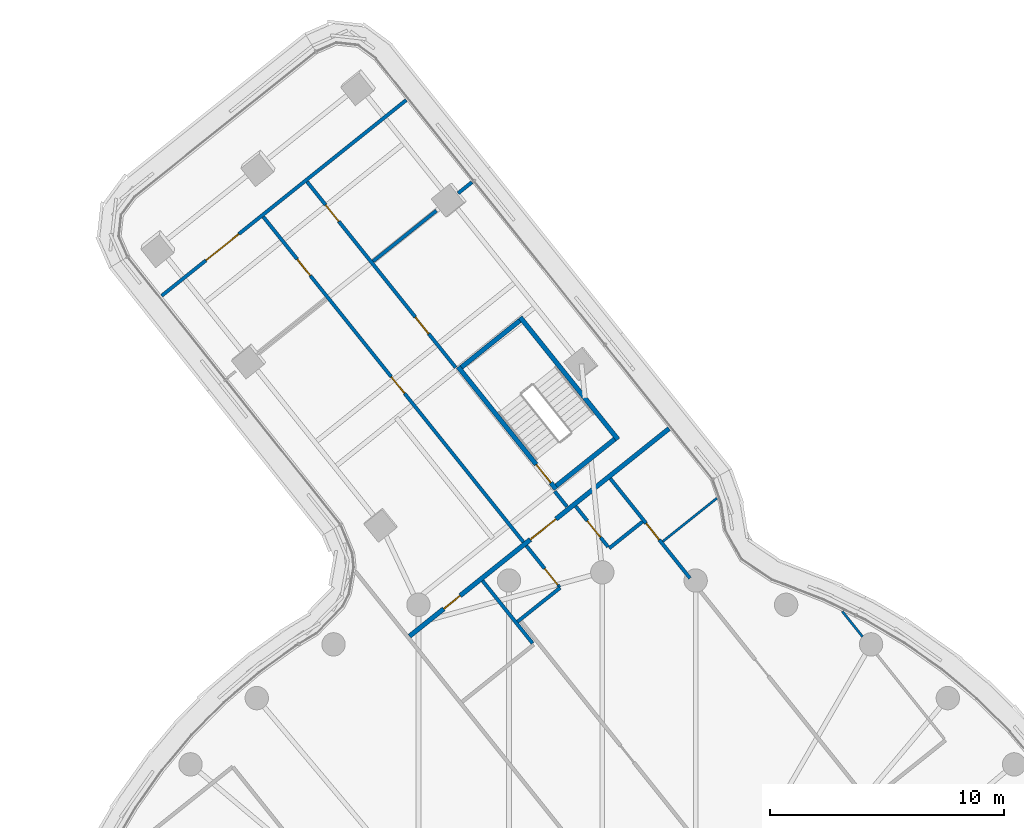
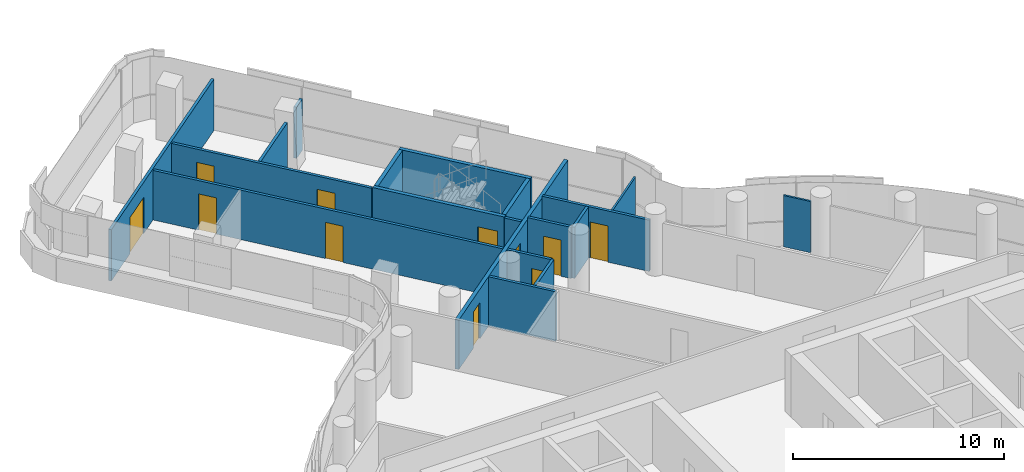
# One storey, part 23 of 31: 18 walls, 11 doors, 11 openings.
"""IFC4 building model written with IfcOpenShell, lengths in metres."""

import ifcopenshell
import ifcopenshell.guid

model = None  # the IFC model being written
_history = None  # IfcOwnerHistory: only IFC2X3 demands one
_inside = {}  # id of a spatial element -> (the spatial element, [elements in it])
_under = {}  # id of a project, library or spatial element -> (it, [spatial elements below it])
_declared = {}  # id of a project -> (the project, [libraries it declares])
_typed = {}  # id of a type object -> (the type object, [elements of that type])
_made_of = {}  # id of a material, layer set ... -> (it, [elements and type objects made of it])


def new_model(schema):
    """Start an empty IFC model of exactly this schema.

    Asked for "IFC4X3", IfcOpenShell would pick the latest addendum, in which some entities
    have other attributes; the version numbers below select the first issue.
    IFC2X3 requires an IfcOwnerHistory on every rooted entity: one is made here for all.
    """
    global model, _history
    if schema == "IFC4X3":
        model = ifcopenshell.file(schema_version=(4, 3, 0, 0))
    else:
        model = ifcopenshell.file(schema=schema)
    _inside.clear()
    _under.clear()
    _declared.clear()
    _typed.clear()
    _made_of.clear()
    _history = None
    if model.schema == "IFC2X3":
        org = make("IfcOrganization", Name="unknown")
        user = make(
            "IfcPersonAndOrganization",
            ThePerson=make("IfcPerson", FamilyName="unknown"),
            TheOrganization=org,
        )
        app = make(
            "IfcApplication",
            ApplicationDeveloper=org,
            Version="unknown",
            ApplicationFullName="unknown",
            ApplicationIdentifier="unknown",
        )
        _history = make(
            "IfcOwnerHistory",
            OwningUser=user,
            OwningApplication=app,
            ChangeAction="ADDED",
            CreationDate=0,
        )
    return model


def make(cls, **values):
    """One entity of the class cls with the attributes given. An attribute that is None is left unset."""
    return model.create_entity(
        cls, **{name: value for name, value in values.items() if value is not None}
    )


def rooted(cls, **values):
    """An entity with a GlobalId (a new one), such as an element, a storey or a relation."""
    return make(cls, GlobalId=ifcopenshell.guid.new(), OwnerHistory=_history, **values)


def si_unit(unit_type, name, prefix=None):
    """IfcSIUnit, for example si_unit("LENGTHUNIT", "METRE", prefix="MILLI")."""
    return make("IfcSIUnit", UnitType=unit_type, Prefix=prefix, Name=name)


def assignment(units):
    """IfcUnitAssignment: the units of a project."""
    return None if units is None else make("IfcUnitAssignment", Units=units)


def point(xyz):
    """IfcCartesianPoint."""
    return None if xyz is None else make("IfcCartesianPoint", Coordinates=xyz)


def direction(xyz):
    """IfcDirection."""
    return None if xyz is None else make("IfcDirection", DirectionRatios=xyz)


def frame(location, z_axis=None, x_axis=None):
    """IfcAxis2Placement3D, a coordinate frame: its origin and axes. An axis left out is left unset."""
    return make(
        "IfcAxis2Placement3D",
        Location=point(location),
        Axis=direction(z_axis),
        RefDirection=direction(x_axis),
    )


def frame_2d(location, x_axis=None):
    """IfcAxis2Placement2D, a coordinate frame in the plane: its origin and x axis."""
    return make(
        "IfcAxis2Placement2D", Location=point(location), RefDirection=direction(x_axis)
    )


def origin():
    """The frame at (0, 0, 0) with its axes left unset."""
    return frame((0.0, 0.0, 0.0))


def place(relative_to, where):
    """IfcLocalPlacement: puts the frame where relative to a parent placement (None: the world)."""
    return make(
        "IfcLocalPlacement", PlacementRelTo=relative_to, RelativePlacement=where
    )


def context(
    kind, dimensions, precision=None, world=None, true_north=None, identifier=None
):
    """IfcGeometricRepresentationContext, for example the 3D "Model" context."""
    return make(
        "IfcGeometricRepresentationContext",
        ContextIdentifier=identifier,
        ContextType=kind,
        CoordinateSpaceDimension=dimensions,
        Precision=precision,
        WorldCoordinateSystem=world,
        TrueNorth=true_north,
    )


def subcontext(parent, identifier, kind, view, scale=None):
    """IfcGeometricRepresentationSubContext, for example "Body" below "Model"."""
    return make(
        "IfcGeometricRepresentationSubContext",
        ContextIdentifier=identifier,
        ContextType=kind,
        ParentContext=parent,
        TargetScale=scale,
        TargetView=view,
    )


def project(units=None, contexts=None):
    """IfcProject with its units and contexts."""
    return rooted(
        "IfcProject",
        Name="project",
        RepresentationContexts=contexts,
        UnitsInContext=assignment(units),
    )


def spatial(cls, under=None, at=None, **own):
    """A site, building, storey or space (cls), placed at a placement, below another one or the project."""
    s = rooted(cls, ObjectPlacement=at, **own)
    if under is not None:
        _under.setdefault(under.id(), (under, []))[1].append(s)
    return s


def polyline(points):
    """IfcPolyline through the points."""
    return make("IfcPolyline", Points=[point(p) for p in points])


def profile(cls, at=None, kind="AREA", **sizes):
    """A parametric profile (cls). Its sizes go by their IFC names, for example OverallWidth=200.0."""
    return make(cls, ProfileType=kind, Position=at, **sizes)


def rectangle(**sizes):
    """IfcRectangleProfileDef."""
    return profile("IfcRectangleProfileDef", **sizes)


def outline(outer, holes=None, kind="AREA"):
    """IfcArbitraryClosedProfileDef: a profile drawn as a closed curve; with holes, ...WithVoids."""
    if holes is None:
        return make("IfcArbitraryClosedProfileDef", ProfileType=kind, OuterCurve=outer)
    return make(
        "IfcArbitraryProfileDefWithVoids",
        ProfileType=kind,
        OuterCurve=outer,
        InnerCurves=holes,
    )


def extrude(swept, where, along, depth):
    """IfcExtrudedAreaSolid: the profile swept, set in the frame where, extruded along a direction by depth."""
    return make(
        "IfcExtrudedAreaSolid",
        SweptArea=swept,
        Position=where,
        ExtrudedDirection=direction(along),
        Depth=depth,
    )


def shape(context_of_items, identifier, shape_type, items):
    """IfcShapeRepresentation: the items that make up one representation, for example the "Body"."""
    return make(
        "IfcShapeRepresentation",
        ContextOfItems=context_of_items,
        RepresentationIdentifier=identifier,
        RepresentationType=shape_type,
        Items=items,
    )


def material(Name=None, Category=None):
    """IfcMaterial."""
    return make("IfcMaterial", Name=Name, Category=Category)


def layer(
    of_material, thickness, ventilated=None, Name=None, Category=None, Priority=None
):
    """IfcMaterialLayer: one layer of a wall or slab, of a material (None: an air gap)."""
    return make(
        "IfcMaterialLayer",
        Material=of_material,
        LayerThickness=thickness,
        IsVentilated=ventilated,
        Name=Name,
        Category=Category,
        Priority=Priority,
    )


def layer_set(layers, Name=None):
    """IfcMaterialLayerSet."""
    return make("IfcMaterialLayerSet", MaterialLayers=layers, LayerSetName=Name)


def made_of(thing, what):
    """Note that an element or type object is made of a material, layer set ...; save() writes the relation."""
    if what is not None:
        _made_of.setdefault(what.id(), (what, []))[1].append(thing)
    return thing


def type_object(cls, material=None, **own):
    """A type object (cls), such as IfcWallType, which elements share."""
    return made_of(rooted(cls, **own), material)


def element(
    cls,
    number,
    at=None,
    inside=None,
    cuts=None,
    type_object=None,
    material=None,
    context=None,
    identifier="Body",
    shape_type=None,
    held_by="IfcProductDefinitionShape",
    body=None,
    shapes=None,
    **own,
):
    """One element of the class cls, such as IfcWall. Its Tag is "e" and its number.

    at: its placement. inside: the storey or other place that contains it. cuts: it is an
    opening in that element (IfcRelVoidsElement). A single representation is given by context,
    identifier, shape_type and body (its items); several are given by shapes. held_by: the class
    of the entity that holds the representations. save() writes the other relations.
    """
    e = rooted(cls, Tag="e%d" % number, ObjectPlacement=at, **own)
    if body is not None:
        shapes = [shape(context, identifier, shape_type, body)]
    if shapes is not None:
        e.Representation = make(held_by, Representations=shapes)
    if inside is not None:
        _inside.setdefault(inside.id(), (inside, []))[1].append(e)
    if cuts is not None:
        rooted(
            "IfcRelVoidsElement", RelatingBuildingElement=cuts, RelatedOpeningElement=e
        )
    if type_object is not None:
        _typed.setdefault(type_object.id(), (type_object, []))[1].append(e)
    return made_of(e, material)


def fill(opening, filler):
    """IfcRelFillsElement: the door or window that sits in an opening."""
    return rooted(
        "IfcRelFillsElement",
        RelatingOpeningElement=opening,
        RelatedBuildingElement=filler,
    )


def aggregate(whole, parts):
    """IfcRelAggregates: a whole, such as a stair, and the parts it consists of."""
    return rooted("IfcRelAggregates", RelatingObject=whole, RelatedObjects=parts)


def save(model, path):
    """Write the relations noted so far, then the file.

    IfcRelAggregates (storeys below a building ...), IfcRelContainedInSpatialStructure (elements
    in a storey), IfcRelDefinesByType, IfcRelAssociatesMaterial and IfcRelDeclares: one each for
    every whole, place, type object, material and project.
    """
    for whole, parts in _under.values():
        aggregate(whole, parts)
    for where, things in _inside.values():
        rooted(
            "IfcRelContainedInSpatialStructure",
            RelatedElements=things,
            RelatingStructure=where,
        )
    for kind, things in _typed.values():
        rooted("IfcRelDefinesByType", RelatedObjects=things, RelatingType=kind)
    for what, things in _made_of.values():
        rooted("IfcRelAssociatesMaterial", RelatedObjects=things, RelatingMaterial=what)
    for by, libraries in _declared.values():
        rooted("IfcRelDeclares", RelatingContext=by, RelatedDefinitions=libraries)
    model.write(path)


model = new_model("IFC4")

# Units and contexts
model_context = context("Model", 3, precision=1e-05, world=origin(), true_north=direction((0.0, 1.0)))
body_context = subcontext(model_context, "Body", "Model", "MODEL_VIEW")
ifc_project = project(units=[si_unit("LENGTHUNIT", "METRE"), si_unit("AREAUNIT", "SQUARE_METRE"), si_unit("VOLUMEUNIT", "CUBIC_METRE"), si_unit("PLANEANGLEUNIT", "RADIAN"), si_unit("MASSUNIT", "GRAM", prefix="KILO")], contexts=[model_context])

# Site, building, storey
site_placement = place(None, origin())
site = spatial("IfcSite", under=ifc_project, at=site_placement, CompositionType="ELEMENT")
building_placement = place(site_placement, origin())
building = spatial("IfcBuilding", under=site, at=building_placement, Name="Tamarind Cross Interchange Tower", CompositionType="ELEMENT")
storey_placement = place(building_placement, frame((0.0, 0.0, 174.25)))
storey = spatial("IfcBuildingStorey", under=building, at=storey_placement, Name="L43", CompositionType="ELEMENT", Elevation=174.25)

# Walls
ifc_material_1 = material(Name="Gypsum board partition on steel studs", Category="steel")
ifc_layer_1 = layer(ifc_material_1, 0.10009765625)
ifc_layer_set_1 = layer_set([ifc_layer_1], Name="Gypsum board partition on steel studs")
wall_type_1 = type_object("IfcWallType", Name="Partition 100 mm EI 90", PredefinedType="PARTITIONING", material=ifc_layer_set_1)
wall_1_placement = place(storey_placement, frame((10.266357421875, 21.333251953125, 0.0), z_axis=(0.0, 0.0, 1.0), x_axis=(0.62463072699, -0.780920261551, 0.0)))
element("IfcWall", 1, at=wall_1_placement, inside=storey, type_object=wall_type_1, Name="Partition L43-029", PredefinedType="PARTITIONING", context=body_context, shape_type="SweptSolid", body=[
    extrude(rectangle(XDim=1.388671875, YDim=0.10009765625, at=frame_2d((0.6943359375, 0.0))), origin(), (0.0, 0.0, 1.0), 2.969970703125),
])
wall_2_placement = place(storey_placement, frame((2.589599609375, 24.325439453125, 0.0), z_axis=(0.0, 0.0, 1.0), x_axis=(0.781045836703, 0.624473699181, 0.0)))
element("IfcWall", 2, at=wall_2_placement, inside=storey, type_object=wall_type_1, Name="Partition L43-057", PredefinedType="PARTITIONING", context=body_context, shape_type="SweptSolid", body=[
    extrude(rectangle(XDim=2.95947265625, YDim=0.10009765625, at=frame_2d((1.479736328125, 0.0))), origin(), (0.0, 0.0, 1.0), 2.969970703125),
])

# Wall, openings, doors
ifc_layer_2 = layer(ifc_material_1, 0.14990234375)
ifc_layer_set_2 = layer_set([ifc_layer_2], Name="Gypsum board partition on steel studs")
wall_type_2 = type_object("IfcWallType", Name="Partition 150 mm EI 120", PredefinedType="PARTITIONING", material=ifc_layer_set_2)
wall_3_placement = place(storey_placement, frame((-14.5048828125, 38.21142578125, 0.0), z_axis=(0.0, 0.0, 1.0), x_axis=(0.624664246516, -0.780893449278, 0.0)))
wall_3 = element("IfcWall", 3, at=wall_3_placement, inside=storey, type_object=wall_type_2, Name="Partition L43-013", PredefinedType="PARTITIONING", context=body_context, shape_type="SweptSolid", body=[
    extrude(rectangle(XDim=20.299560546875, YDim=0.14990234375, at=frame_2d((10.14990234375, 0.0))), origin(), (0.0, 0.0, 1.0), 2.8701171875),
])
opening_1_placement = place(wall_3_placement, frame((19.269775390625, 0.0, 0.0)))
opening_1 = element("IfcOpeningElement", 4, at=opening_1_placement, cuts=wall_3, Name="Opening D03", PredefinedType="OPENING", context=body_context, shape_type="SweptSolid", body=[
    extrude(rectangle(XDim=0.89990234375, YDim=2.10009765625, at=frame_2d((0.449951171875, 1.050048828125))), frame((0.0, 0.0849609375, 0.0), z_axis=(0.0, -1.0, 0.0), x_axis=(1.0, 0.0, 0.0)), (0.0, 0.0, 1.0), 0.169921875),
])
opening_2_placement = place(wall_3_placement, frame((8.77001953125, 0.0, 0.0)))
opening_2 = element("IfcOpeningElement", 5, at=opening_2_placement, cuts=wall_3, Name="Opening D04", PredefinedType="OPENING", context=body_context, shape_type="SweptSolid", body=[
    extrude(rectangle(XDim=0.89990234375, YDim=2.10009765625, at=frame_2d((0.449951171875, 1.050048828125))), frame((0.0, 0.0849609375, 0.0), z_axis=(0.0, -1.0, 0.0), x_axis=(1.0, 0.0, 0.0)), (0.0, 0.0, 1.0), 0.169921875),
])
opening_3_placement = place(wall_3_placement, frame((2.320068359375, 0.0, 0.0)))
opening_3 = element("IfcOpeningElement", 6, at=opening_3_placement, cuts=wall_3, Name="Opening D05", PredefinedType="OPENING", context=body_context, shape_type="SweptSolid", body=[
    extrude(rectangle(XDim=0.89990234375, YDim=2.10009765625, at=frame_2d((0.449951171875, 1.050048828125))), frame((0.0, 0.0849609375, 0.0), z_axis=(0.0, -1.0, 0.0), x_axis=(1.0, 0.0, 0.0)), (0.0, 0.0, 1.0), 0.169921875),
])
ifc_material_2 = material(Name="Fire-resisting door set")
door_type_1 = type_object("IfcDoorType", Name="Interior door 900 x 2100 FD60S", OperationType="SINGLE_SWING_LEFT", PredefinedType="DOOR", material=ifc_material_2)
door_1_placement = place(opening_1_placement, frame((0.89990234375, 0.0, 0.0), z_axis=(0.0, 0.0, 1.0), x_axis=(-1.0, 0.0, 0.0)))
door_1 = element("IfcDoor", 7, at=door_1_placement, inside=storey, type_object=door_type_1, Name="Door D03", OperationType="SINGLE_SWING_RIGHT", OverallHeight=2.10009765625, OverallWidth=0.89990234375, PredefinedType="DOOR", context=body_context, shape_type="SweptSolid", body=[
    extrude(rectangle(XDim=0.89990234375, YDim=2.10009765625, at=frame_2d((0.449951171875, 1.050048828125))), frame((0.0, 0.02490234375, 0.0), z_axis=(0.0, -1.0, 0.0), x_axis=(1.0, 0.0, 0.0)), (0.0, 0.0, 1.0), 0.050048828125),
])
fill(opening_1, door_1)
door_2_placement = place(opening_2_placement, frame((0.89990234375, 0.0, 0.0), z_axis=(0.0, 0.0, 1.0), x_axis=(-1.0, 0.0, 0.0)))
door_2 = element("IfcDoor", 8, at=door_2_placement, inside=storey, type_object=door_type_1, Name="Door D04", OperationType="SINGLE_SWING_LEFT", OverallHeight=2.10009765625, OverallWidth=0.89990234375, PredefinedType="DOOR", context=body_context, shape_type="SweptSolid", body=[
    extrude(rectangle(XDim=0.89990234375, YDim=2.10009765625, at=frame_2d((0.449951171875, 1.050048828125))), frame((0.0, 0.02490234375, 0.0), z_axis=(0.0, -1.0, 0.0), x_axis=(1.0, 0.0, 0.0)), (0.0, 0.0, 1.0), 0.050048828125),
])
fill(opening_2, door_2)
door_3_placement = place(opening_3_placement, frame((0.89990234375, 0.0, 0.0), z_axis=(0.0, 0.0, 1.0), x_axis=(-1.0, 0.0, 0.0)))
door_3 = element("IfcDoor", 9, at=door_3_placement, inside=storey, type_object=door_type_1, Name="Door D05", OperationType="SINGLE_SWING_LEFT", OverallHeight=2.10009765625, OverallWidth=0.89990234375, PredefinedType="DOOR", context=body_context, shape_type="SweptSolid", body=[
    extrude(rectangle(XDim=0.89990234375, YDim=2.10009765625, at=frame_2d((0.449951171875, 1.050048828125))), frame((0.0, 0.02490234375, 0.0), z_axis=(0.0, -1.0, 0.0), x_axis=(1.0, 0.0, 0.0)), (0.0, 0.0, 1.0), 0.050048828125),
])
fill(opening_3, door_3)

wall_4_placement = place(storey_placement, frame((-12.631103515625, 39.71044921875, 0.0), z_axis=(0.0, 0.0, 1.0), x_axis=(0.624683348944, -0.780878168188, 0.0)))
wall_4 = element("IfcWall", 10, at=wall_4_placement, inside=storey, type_object=wall_type_2, Name="Partition L43-014", PredefinedType="PARTITIONING", context=body_context, shape_type="SweptSolid", body=[
    extrude(rectangle(XDim=10.18017578125, YDim=0.14990234375, at=frame_2d((5.090087890625, 0.0))), origin(), (0.0, 0.0, 1.0), 2.8701171875),
])
opening_4_placement = place(wall_4_placement, frame((1.27001953125, 0.0, 0.0)))
opening_4 = element("IfcOpeningElement", 11, at=opening_4_placement, cuts=wall_4, Name="Opening D06", PredefinedType="OPENING", context=body_context, shape_type="SweptSolid", body=[
    extrude(rectangle(XDim=0.89990234375, YDim=2.10009765625, at=frame_2d((0.449951171875, 1.050048828125))), frame((0.0, 0.0849609375, 0.0), z_axis=(0.0, -1.0, 0.0), x_axis=(1.0, 0.0, 0.0)), (0.0, 0.0, 1.0), 0.169921875),
])
opening_5_placement = place(wall_4_placement, frame((7.419921875, 0.0, 0.0)))
opening_5 = element("IfcOpeningElement", 12, at=opening_5_placement, cuts=wall_4, Name="Opening D07", PredefinedType="OPENING", context=body_context, shape_type="SweptSolid", body=[
    extrude(rectangle(XDim=0.89990234375, YDim=2.10009765625, at=frame_2d((0.449951171875, 1.050048828125))), frame((0.0, 0.0849609375, 0.0), z_axis=(0.0, -1.0, 0.0), x_axis=(1.0, 0.0, 0.0)), (0.0, 0.0, 1.0), 0.169921875),
])
door_4_placement = place(opening_4_placement, origin())
door_4 = element("IfcDoor", 13, at=door_4_placement, inside=storey, type_object=door_type_1, Name="Door D06", OperationType="SINGLE_SWING_RIGHT", OverallHeight=2.10009765625, OverallWidth=0.89990234375, PredefinedType="DOOR", context=body_context, shape_type="SweptSolid", body=[
    extrude(rectangle(XDim=0.89990234375, YDim=2.10009765625, at=frame_2d((0.449951171875, 1.050048828125))), frame((0.0, 0.02490234375, 0.0), z_axis=(0.0, -1.0, 0.0), x_axis=(1.0, 0.0, 0.0)), (0.0, 0.0, 1.0), 0.050048828125),
])
fill(opening_4, door_4)
door_5_placement = place(opening_5_placement, origin())
door_5 = element("IfcDoor", 14, at=door_5_placement, inside=storey, type_object=door_type_1, Name="Door D07", OperationType="SINGLE_SWING_LEFT", OverallHeight=2.10009765625, OverallWidth=0.89990234375, PredefinedType="DOOR", context=body_context, shape_type="SweptSolid", body=[
    extrude(rectangle(XDim=0.89990234375, YDim=2.10009765625, at=frame_2d((0.449951171875, 1.050048828125))), frame((0.0, 0.02490234375, 0.0), z_axis=(0.0, -1.0, 0.0), x_axis=(1.0, 0.0, 0.0)), (0.0, 0.0, 1.0), 0.050048828125),
])
fill(opening_5, door_5)

# Walls
wall_5_placement = place(storey_placement, frame((-2.03662109375, 26.466552734375, 0.0), z_axis=(0.0, 0.0, 1.0), x_axis=(0.624730499049, -0.780840446927, 0.0)))
element("IfcWall", 15, at=wall_5_placement, inside=storey, type_object=wall_type_2, Name="Partition L43-015", PredefinedType="PARTITIONING", context=body_context, shape_type="SweptSolid", body=[
    extrude(rectangle(XDim=0.83984375, YDim=0.14990234375, at=frame_2d((0.419921875, 0.0))), origin(), (0.0, 0.0, 1.0), 2.8701171875),
])
wall_6_placement = place(storey_placement, frame((-5.12255859375, 22.640869140625, 0.0), z_axis=(0.0, 0.0, 1.0), x_axis=(0.624590747683, -0.780952237918, 0.0)))
element("IfcWall", 16, at=wall_6_placement, inside=storey, type_object=wall_type_2, Name="Partition L43-019", PredefinedType="PARTITIONING", context=body_context, shape_type="SweptSolid", body=[
    extrude(rectangle(XDim=3.42578125, YDim=0.14990234375, at=frame_2d((1.712890625, 0.0))), origin(), (0.0, 0.0, 1.0), 2.8701171875),
])

# Wall, opening, door
wall_7_placement = place(storey_placement, frame((-1.139404296875, 25.825927734375, 0.0), z_axis=(0.0, 0.0, 1.0), x_axis=(0.624641514256, -0.780911633072, 0.0)))
wall_7 = element("IfcWall", 17, at=wall_7_placement, inside=storey, type_object=wall_type_2, Name="Partition L43-022", PredefinedType="PARTITIONING", context=body_context, shape_type="SweptSolid", body=[
    extrude(rectangle(XDim=2.224609375, YDim=0.14990234375, at=frame_2d((1.1123046875, 0.0))), origin(), (0.0, 0.0, 1.0), 2.969970703125),
])
opening_6_placement = place(wall_7_placement, frame((0.800048828125, 0.0, 0.0)))
opening_6 = element("IfcOpeningElement", 18, at=opening_6_placement, cuts=wall_7, Name="Opening D11", PredefinedType="OPENING", context=body_context, shape_type="SweptSolid", body=[
    extrude(rectangle(XDim=0.89990234375, YDim=2.10009765625, at=frame_2d((0.449951171875, 1.050048828125))), frame((0.0, 0.0849609375, 0.0), z_axis=(0.0, -1.0, 0.0), x_axis=(1.0, 0.0, 0.0)), (0.0, 0.0, 1.0), 0.169921875),
])
door_6_placement = place(opening_6_placement, origin())
door_6 = element("IfcDoor", 19, at=door_6_placement, inside=storey, type_object=door_type_1, Name="Door D11", OperationType="SINGLE_SWING_LEFT", OverallHeight=2.10009765625, OverallWidth=0.89990234375, PredefinedType="DOOR", context=body_context, shape_type="SweptSolid", body=[
    extrude(rectangle(XDim=0.89990234375, YDim=2.10009765625, at=frame_2d((0.449951171875, 1.050048828125))), frame((0.0, 0.02490234375, 0.0), z_axis=(0.0, -1.0, 0.0), x_axis=(1.0, 0.0, 0.0)), (0.0, 0.0, 1.0), 0.050048828125),
])
fill(opening_6, door_6)

wall_8_placement = place(storey_placement, frame((0.343505859375, 27.012939453125, 0.0), z_axis=(0.0, 0.0, 1.0), x_axis=(0.624651442113, -0.7809036918, 0.0)))
wall_8 = element("IfcWall", 20, at=wall_8_placement, inside=storey, type_object=wall_type_2, Name="Partition L43-023", PredefinedType="PARTITIONING", context=body_context, shape_type="SweptSolid", body=[
    extrude(rectangle(XDim=5.46240234375, YDim=0.14990234375, at=frame_2d((2.731201171875, 0.0))), origin(), (0.0, 0.0, 1.0), 2.969970703125),
])
opening_7_placement = place(wall_8_placement, frame((2.44970703125, 0.0, 0.0)))
opening_7 = element("IfcOpeningElement", 21, at=opening_7_placement, cuts=wall_8, Name="Opening D12", PredefinedType="OPENING", context=body_context, shape_type="SweptSolid", body=[
    extrude(rectangle(XDim=0.89990234375, YDim=2.10009765625, at=frame_2d((0.449951171875, 1.050048828125))), frame((0.0, 0.0849609375, 0.0), z_axis=(0.0, -1.0, 0.0), x_axis=(1.0, 0.0, 0.0)), (0.0, 0.0, 1.0), 0.169921875),
])
door_7_placement = place(opening_7_placement, origin())
door_7 = element("IfcDoor", 22, at=door_7_placement, inside=storey, type_object=door_type_1, Name="Door D12", OperationType="SINGLE_SWING_LEFT", OverallHeight=2.10009765625, OverallWidth=0.89990234375, PredefinedType="DOOR", context=body_context, shape_type="SweptSolid", body=[
    extrude(rectangle(XDim=0.89990234375, YDim=2.10009765625, at=frame_2d((0.449951171875, 1.050048828125))), frame((0.0, 0.02490234375, 0.0), z_axis=(0.0, -1.0, 0.0), x_axis=(1.0, 0.0, 0.0)), (0.0, 0.0, 1.0), 0.050048828125),
])
fill(opening_7, door_7)

wall_9_placement = place(storey_placement, frame((-18.853271484375, 34.834716796875, 0.0), z_axis=(0.0, 0.0, 1.0), x_axis=(0.780801279503, 0.624779450628, 0.0)))
wall_9 = element("IfcWall", 23, at=wall_9_placement, inside=storey, type_object=wall_type_2, Name="Partition L43-049", PredefinedType="PARTITIONING", context=body_context, shape_type="SweptSolid", body=[
    extrude(rectangle(XDim=13.404052734375, YDim=0.14990234375, at=frame_2d((6.7021484375, 0.0))), origin(), (0.0, 0.0, 1.0), 2.969970703125),
])
opening_8_placement = place(wall_9_placement, frame((2.428955078125, 0.0, 0.0)))
opening_8 = element("IfcOpeningElement", 24, at=opening_8_placement, cuts=wall_9, Name="Opening D32", PredefinedType="OPENING", context=body_context, shape_type="SweptSolid", body=[
    extrude(rectangle(XDim=1.800048828125, YDim=2.10009765625, at=frame_2d((0.89990234375, 1.050048828125))), frame((0.0, 0.0849609375, 0.0), z_axis=(0.0, -1.0, 0.0), x_axis=(1.0, 0.0, 0.0)), (0.0, 0.0, 1.0), 0.169921875),
])
door_type_2 = type_object("IfcDoorType", Name="Interior door 1800 x 2100 FD60S", OperationType="DOUBLE_DOOR_SINGLE_SWING", PredefinedType="DOOR", material=ifc_material_2)
door_8_placement = place(opening_8_placement, origin())
door_8 = element("IfcDoor", 25, at=door_8_placement, inside=storey, type_object=door_type_2, Name="Door D32", OperationType="DOUBLE_DOOR_SINGLE_SWING", OverallHeight=2.10009765625, OverallWidth=1.800048828125, PredefinedType="DOOR", context=body_context, shape_type="SweptSolid", body=[
    extrude(rectangle(XDim=1.800048828125, YDim=2.10009765625, at=frame_2d((0.89990234375, 1.050048828125))), frame((0.0, 0.02490234375, 0.0), z_axis=(0.0, -1.0, 0.0), x_axis=(1.0, 0.0, 0.0)), (0.0, 0.0, 1.0), 0.050048828125),
])
fill(opening_8, door_8)

# Walls
wall_10_placement = place(storey_placement, frame((-9.8076171875, 36.30908203125, 0.0), z_axis=(0.0, 0.0, 1.0), x_axis=(0.780909937678, 0.624643633791, 0.0)))
element("IfcWall", 26, at=wall_10_placement, inside=storey, type_object=wall_type_2, Name="Partition L43-052", PredefinedType="PARTITIONING", context=body_context, shape_type="SweptSolid", body=[
    extrude(rectangle(XDim=3.474609375, YDim=0.14990234375, at=frame_2d((1.7373046875, 0.0))), origin(), (0.0, 0.0, 1.0), 2.8701171875),
])
wall_11_placement = place(storey_placement, frame((-6.16845703125, 39.22021484375, 0.0), z_axis=(0.0, 0.0, 1.0), x_axis=(0.780931563695, 0.624616596662, 0.0)))
element("IfcWall", 27, at=wall_11_placement, inside=storey, type_object=wall_type_2, Name="Partition L43-053", PredefinedType="PARTITIONING", context=body_context, shape_type="SweptSolid", body=[
    extrude(rectangle(XDim=0.759033203125, YDim=0.14990234375, at=frame_2d((0.37939453125, 0.0))), origin(), (0.0, 0.0, 1.0), 2.969970703125),
])
wall_12_placement = place(storey_placement, frame((-3.623291015625, 20.893798828125, 0.0), z_axis=(0.0, 0.0, 1.0), x_axis=(0.782303881758, 0.622896971084, 0.0)))
element("IfcWall", 28, at=wall_12_placement, inside=storey, type_object=wall_type_2, Name="Partition L43-058", PredefinedType="PARTITIONING", context=body_context, shape_type="SweptSolid", body=[
    extrude(rectangle(XDim=2.3203125, YDim=0.14990234375, at=frame_2d((1.16015625, 0.0))), origin(), (0.0, 0.0, 1.0), 2.8701171875),
])
wall_13_placement = place(storey_placement, frame((0.297119140625, 24.030029296875, 0.0), z_axis=(0.0, 0.0, 1.0), x_axis=(0.780698592374, 0.624907759485, 0.0)))
element("IfcWall", 29, at=wall_13_placement, inside=storey, type_object=wall_type_2, Name="Partition L43-060", PredefinedType="PARTITIONING", context=body_context, shape_type="SweptSolid", body=[
    extrude(rectangle(XDim=1.8193359375, YDim=0.14990234375, at=frame_2d((0.90966796875, 0.0))), origin(), (0.0, 0.0, 1.0), 2.969970703125),
])

# Wall, openings, doors
ifc_layer_3 = layer(ifc_material_1, 0.199951171875)
ifc_layer_set_3 = layer_set([ifc_layer_3], Name="Gypsum board partition on steel studs")
wall_type_3 = type_object("IfcWallType", Name="Partition 200 mm EI 180", PredefinedType="PARTITIONING", material=ifc_layer_set_3)
wall_14_placement = place(storey_placement, frame((-8.24658203125, 20.27001953125, 0.0), z_axis=(0.0, 0.0, 1.0), x_axis=(0.780898959687, 0.624657357885, 0.0)))
wall_14 = element("IfcWall", 30, at=wall_14_placement, inside=storey, type_object=wall_type_3, Name="Partition L43-055", PredefinedType="PARTITIONING", context=body_context, shape_type="SweptSolid", body=[
    extrude(rectangle(XDim=14.219482421875, YDim=0.199951171875, at=frame_2d((7.10986328125, 0.0))), origin(), (0.0, 0.0, 1.0), 2.8701171875),
])
opening_9_placement = place(wall_14_placement, frame((6.620361328125, 0.0, 0.0)))
opening_9 = element("IfcOpeningElement", 31, at=opening_9_placement, cuts=wall_14, Name="Opening D33", PredefinedType="OPENING", context=body_context, shape_type="SweptSolid", body=[
    extrude(rectangle(XDim=1.39990234375, YDim=2.10009765625, at=frame_2d((0.699951171875, 1.050048828125))), frame((0.0, 0.10986328125, 0.0), z_axis=(0.0, -1.0, 0.0), x_axis=(1.0, 0.0, 0.0)), (0.0, 0.0, 1.0), 0.219970703125),
])
opening_10_placement = place(wall_14_placement, frame((1.8701171875, 0.0, 0.0)))
opening_10 = element("IfcOpeningElement", 32, at=opening_10_placement, cuts=wall_14, Name="Opening D34", PredefinedType="OPENING", context=body_context, shape_type="SweptSolid", body=[
    extrude(rectangle(XDim=0.89990234375, YDim=2.10009765625, at=frame_2d((0.449951171875, 1.050048828125))), frame((0.0, 0.10986328125, 0.0), z_axis=(0.0, -1.0, 0.0), x_axis=(1.0, 0.0, 0.0)), (0.0, 0.0, 1.0), 0.219970703125),
])
door_type_3 = type_object("IfcDoorType", Name="Interior door 1400 x 2100 FD120S", OperationType="DOUBLE_DOOR_SINGLE_SWING", PredefinedType="DOOR", material=ifc_material_2)
door_9_placement = place(opening_9_placement, frame((1.39990234375, 0.0, 0.0), z_axis=(0.0, 0.0, 1.0), x_axis=(-1.0, 0.0, 0.0)))
door_9 = element("IfcDoor", 33, at=door_9_placement, inside=storey, type_object=door_type_3, Name="Door D33", OperationType="DOUBLE_DOOR_SINGLE_SWING", OverallHeight=2.10009765625, OverallWidth=1.39990234375, PredefinedType="DOOR", context=body_context, shape_type="SweptSolid", body=[
    extrude(rectangle(XDim=1.39990234375, YDim=2.10009765625, at=frame_2d((0.699951171875, 1.050048828125))), frame((0.0, 0.02490234375, 0.0), z_axis=(0.0, -1.0, 0.0), x_axis=(1.0, 0.0, 0.0)), (0.0, 0.0, 1.0), 0.050048828125),
])
fill(opening_9, door_9)
door_type_4 = type_object("IfcDoorType", Name="Interior door 900 x 2100 FD120S", OperationType="SINGLE_SWING_LEFT", PredefinedType="DOOR", material=ifc_material_2)
door_10_placement = place(opening_10_placement, frame((0.89990234375, 0.0, 0.0), z_axis=(0.0, 0.0, 1.0), x_axis=(-1.0, 0.0, 0.0)))
door_10 = element("IfcDoor", 34, at=door_10_placement, inside=storey, type_object=door_type_4, Name="Door D34", OperationType="SINGLE_SWING_LEFT", OverallHeight=2.10009765625, OverallWidth=0.89990234375, PredefinedType="DOOR", context=body_context, shape_type="SweptSolid", body=[
    extrude(rectangle(XDim=0.89990234375, YDim=2.10009765625, at=frame_2d((0.449951171875, 1.050048828125))), frame((0.0, 0.02490234375, 0.0), z_axis=(0.0, -1.0, 0.0), x_axis=(1.0, 0.0, 0.0)), (0.0, 0.0, 1.0), 0.050048828125),
])
fill(opening_10, door_10)

# Wall, opening, door
ifc_material_3 = material(Name="Concrete C40", Category="concrete")
ifc_layer_4 = layer(ifc_material_3, 0.199951171875)
ifc_layer_set_4 = layer_set([ifc_layer_4], Name="Concrete C40")
wall_type_4 = type_object("IfcWallType", Name="Stair shaft wall 200 mm Concrete C40", PredefinedType="SHEAR", material=ifc_layer_set_4)
wall_15_placement = place(storey_placement, frame((-1.983154296875, 26.560302734375, -0.139892578125), z_axis=(0.0, 0.0, 1.0), x_axis=(-0.624672828433, 0.780886584222, 0.0)))
wall_15 = element("IfcWall", 35, at=wall_15_placement, inside=storey, type_object=wall_type_4, Name="Core wall CWL-L43-ST4-H", PredefinedType="SHEAR", context=body_context, shape_type="SweptSolid", body=[
    extrude(rectangle(XDim=6.699951171875, YDim=0.199951171875, at=frame_2d((3.35009765625, 0.0))), origin(), (0.0, 0.0, 1.0), 3.010009765625),
])
opening_11_placement = place(wall_15_placement, frame((0.35009765625, 0.0, 0.0)))
opening_11 = element("IfcOpeningElement", 36, at=opening_11_placement, cuts=wall_15, Name="Opening ST4L43", PredefinedType="OPENING", context=body_context, shape_type="SweptSolid", body=[
    extrude(rectangle(XDim=1.0, YDim=2.10009765625, at=frame_2d((0.5, 1.050048828125))), frame((0.0, 0.10986328125, 0.0), z_axis=(0.0, -1.0, 0.0), x_axis=(1.0, 0.0, 0.0)), (0.0, 0.0, 1.0), 0.219970703125),
])
ifc_material_4 = material(Name="Steel, fire-resisting", Category="steel")
door_type_5 = type_object("IfcDoorType", Name="Core fire door 1000 x 2100 FD90", OperationType="SINGLE_SWING_LEFT", PredefinedType="DOOR", material=ifc_material_4)
door_11_placement = place(opening_11_placement, origin())
door_11 = element("IfcDoor", 37, at=door_11_placement, inside=storey, type_object=door_type_5, Name="L43 stair door ST4", OperationType="SINGLE_SWING_LEFT", OverallHeight=2.10009765625, OverallWidth=1.0, PredefinedType="DOOR", context=body_context, shape_type="SweptSolid", body=[
    extrude(rectangle(XDim=1.0, YDim=2.10009765625, at=frame_2d((0.5, 1.050048828125))), frame((0.0, 0.02490234375, 0.0), z_axis=(0.0, -1.0, 0.0), x_axis=(1.0, 0.0, 0.0)), (0.0, 0.0, 1.0), 0.050048828125),
])
fill(opening_11, door_11)

# Walls
wall_16_placement = place(storey_placement, frame((0.671875, 28.68408203125, -0.139892578125), z_axis=(0.0, 0.0, 1.0), x_axis=(-0.624655053909, 0.780900802679, 0.0)))
element("IfcWall", 38, at=wall_16_placement, inside=storey, type_object=wall_type_4, Name="Core wall CWL-L43-ST4-C", PredefinedType="SHEAR", context=body_context, shape_type="SweptSolid", body=[
    extrude(rectangle(XDim=6.7001953125, YDim=0.199951171875, at=frame_2d((3.35009765625, 0.0))), origin(), (0.0, 0.0, 1.0), 3.010009765625),
])
wall_17_placement = place(storey_placement, frame((0.53125, 28.69970703125, -0.139892578125), z_axis=(0.0, 0.0, 1.0), x_axis=(-0.780906026403, -0.624648523514, 0.0)))
element("IfcWall", 39, at=wall_17_placement, inside=storey, type_object=wall_type_4, Name="Core wall CWL-L43-ST4-CE", PredefinedType="SHEAR", context=body_context, shape_type="SweptSolid", body=[
    extrude(rectangle(XDim=3.199951171875, YDim=0.199951171875, at=frame_2d((1.60009765625, 0.0))), origin(), (0.0, 0.0, 1.0), 3.010009765625),
])
wall_18_placement = place(storey_placement, frame((0.0, 0.0, -0.139892578125)))
element("IfcWall", 40, at=wall_18_placement, inside=storey, type_object=wall_type_4, Name="Core wall CWL-L43-ST4-CF", PredefinedType="SHEAR", context=body_context, shape_type="SweptSolid", body=[
    extrude(outline(polyline([(-3.466552734375, 33.697509765625), (-3.591552734375, 33.853759765625), (-6.09033203125, 31.854736328125), (-5.965576171875, 31.698486328125), (-3.466552734375, 33.697509765625)])), origin(), (0.0, 0.0, 1.0), 3.010009765625),
])

save(model, "model.ifc")
